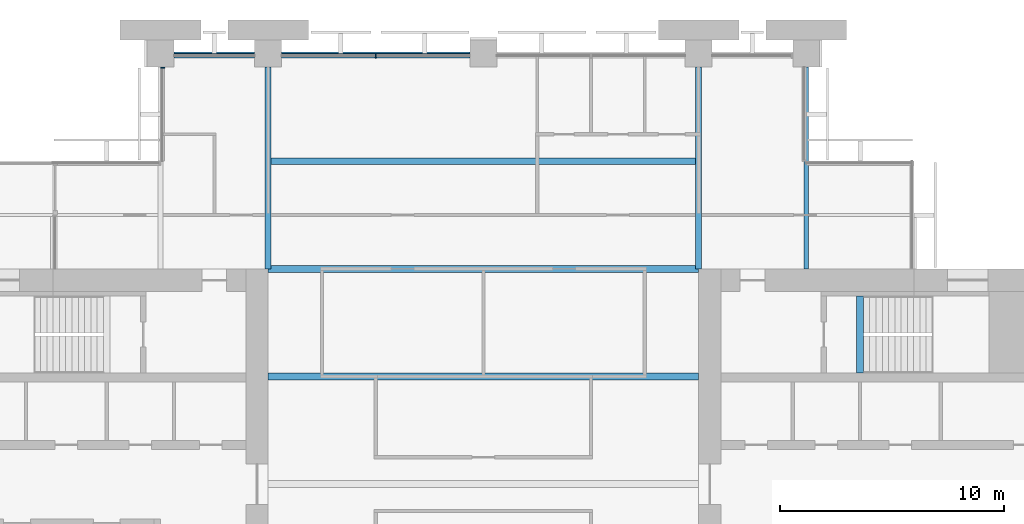
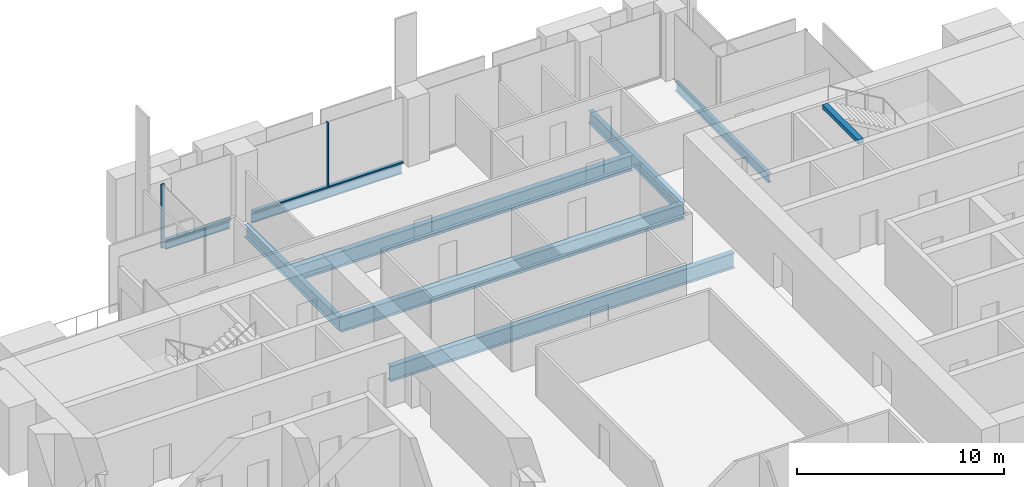
# One storey, part 6 of 14: 9 beams, 4 members, 2 elements without a shape of their own.
"""IFC4 building model written with IfcOpenShell, lengths in metres."""

import ifcopenshell
import ifcopenshell.guid

model = None  # the IFC model being written
_history = None  # IfcOwnerHistory: only IFC2X3 demands one
_inside = {}  # id of a spatial element -> (the spatial element, [elements in it])
_under = {}  # id of a project, library or spatial element -> (it, [spatial elements below it])
_declared = {}  # id of a project -> (the project, [libraries it declares])
_typed = {}  # id of a type object -> (the type object, [elements of that type])
_made_of = {}  # id of a material, layer set ... -> (it, [elements and type objects made of it])


def new_model(schema):
    """Start an empty IFC model of exactly this schema.

    Asked for "IFC4X3", IfcOpenShell would pick the latest addendum, in which some entities
    have other attributes; the version numbers below select the first issue.
    IFC2X3 requires an IfcOwnerHistory on every rooted entity: one is made here for all.
    """
    global model, _history
    if schema == "IFC4X3":
        model = ifcopenshell.file(schema_version=(4, 3, 0, 0))
    else:
        model = ifcopenshell.file(schema=schema)
    _inside.clear()
    _under.clear()
    _declared.clear()
    _typed.clear()
    _made_of.clear()
    _history = None
    if model.schema == "IFC2X3":
        org = make("IfcOrganization", Name="unknown")
        user = make(
            "IfcPersonAndOrganization",
            ThePerson=make("IfcPerson", FamilyName="unknown"),
            TheOrganization=org,
        )
        app = make(
            "IfcApplication",
            ApplicationDeveloper=org,
            Version="unknown",
            ApplicationFullName="unknown",
            ApplicationIdentifier="unknown",
        )
        _history = make(
            "IfcOwnerHistory",
            OwningUser=user,
            OwningApplication=app,
            ChangeAction="ADDED",
            CreationDate=0,
        )
    return model


def make(cls, **values):
    """One entity of the class cls with the attributes given. An attribute that is None is left unset."""
    return model.create_entity(
        cls, **{name: value for name, value in values.items() if value is not None}
    )


def rooted(cls, **values):
    """An entity with a GlobalId (a new one), such as an element, a storey or a relation."""
    return make(cls, GlobalId=ifcopenshell.guid.new(), OwnerHistory=_history, **values)


def si_unit(unit_type, name, prefix=None):
    """IfcSIUnit, for example si_unit("LENGTHUNIT", "METRE", prefix="MILLI")."""
    return make("IfcSIUnit", UnitType=unit_type, Prefix=prefix, Name=name)


def assignment(units):
    """IfcUnitAssignment: the units of a project."""
    return None if units is None else make("IfcUnitAssignment", Units=units)


def point(xyz):
    """IfcCartesianPoint."""
    return None if xyz is None else make("IfcCartesianPoint", Coordinates=xyz)


def direction(xyz):
    """IfcDirection."""
    return None if xyz is None else make("IfcDirection", DirectionRatios=xyz)


def frame(location, z_axis=None, x_axis=None):
    """IfcAxis2Placement3D, a coordinate frame: its origin and axes. An axis left out is left unset."""
    return make(
        "IfcAxis2Placement3D",
        Location=point(location),
        Axis=direction(z_axis),
        RefDirection=direction(x_axis),
    )


def frame_2d(location, x_axis=None):
    """IfcAxis2Placement2D, a coordinate frame in the plane: its origin and x axis."""
    return make(
        "IfcAxis2Placement2D", Location=point(location), RefDirection=direction(x_axis)
    )


def origin():
    """The frame at (0, 0, 0) with its axes left unset."""
    return frame((0.0, 0.0, 0.0))


def origin_2d():
    """The frame at (0, 0) in the plane with its x axis left unset."""
    return frame_2d((0.0, 0.0))


def place(relative_to, where):
    """IfcLocalPlacement: puts the frame where relative to a parent placement (None: the world)."""
    return make(
        "IfcLocalPlacement", PlacementRelTo=relative_to, RelativePlacement=where
    )


def context(
    kind, dimensions, precision=None, world=None, true_north=None, identifier=None
):
    """IfcGeometricRepresentationContext, for example the 3D "Model" context."""
    return make(
        "IfcGeometricRepresentationContext",
        ContextIdentifier=identifier,
        ContextType=kind,
        CoordinateSpaceDimension=dimensions,
        Precision=precision,
        WorldCoordinateSystem=world,
        TrueNorth=true_north,
    )


def subcontext(parent, identifier, kind, view, scale=None):
    """IfcGeometricRepresentationSubContext, for example "Body" below "Model"."""
    return make(
        "IfcGeometricRepresentationSubContext",
        ContextIdentifier=identifier,
        ContextType=kind,
        ParentContext=parent,
        TargetScale=scale,
        TargetView=view,
    )


def project(units=None, contexts=None):
    """IfcProject with its units and contexts."""
    return rooted(
        "IfcProject",
        Name="project",
        RepresentationContexts=contexts,
        UnitsInContext=assignment(units),
    )


def spatial(cls, under=None, at=None, **own):
    """A site, building, storey or space (cls), placed at a placement, below another one or the project."""
    s = rooted(cls, ObjectPlacement=at, **own)
    if under is not None:
        _under.setdefault(under.id(), (under, []))[1].append(s)
    return s


def profile(cls, at=None, kind="AREA", **sizes):
    """A parametric profile (cls). Its sizes go by their IFC names, for example OverallWidth=200.0."""
    return make(cls, ProfileType=kind, Position=at, **sizes)


def rectangle(**sizes):
    """IfcRectangleProfileDef."""
    return profile("IfcRectangleProfileDef", **sizes)


def i_section(**sizes):
    """IfcIShapeProfileDef."""
    return profile("IfcIShapeProfileDef", **sizes)


def extrude(swept, where, along, depth):
    """IfcExtrudedAreaSolid: the profile swept, set in the frame where, extruded along a direction by depth."""
    return make(
        "IfcExtrudedAreaSolid",
        SweptArea=swept,
        Position=where,
        ExtrudedDirection=direction(along),
        Depth=depth,
    )


def shape(context_of_items, identifier, shape_type, items):
    """IfcShapeRepresentation: the items that make up one representation, for example the "Body"."""
    return make(
        "IfcShapeRepresentation",
        ContextOfItems=context_of_items,
        RepresentationIdentifier=identifier,
        RepresentationType=shape_type,
        Items=items,
    )


def material(Name=None, Category=None):
    """IfcMaterial."""
    return make("IfcMaterial", Name=Name, Category=Category)


def material_profile(
    of_material, cross_section, Name=None, Category=None, Priority=None
):
    """IfcMaterialProfile: a cross section and its material."""
    return make(
        "IfcMaterialProfile",
        Name=Name,
        Material=of_material,
        Profile=cross_section,
        Priority=Priority,
        Category=Category,
    )


def profile_set(profiles, Name=None, composite=None):
    """IfcMaterialProfileSet."""
    return make(
        "IfcMaterialProfileSet",
        Name=Name,
        MaterialProfiles=profiles,
        CompositeProfile=composite,
    )


def made_of(thing, what):
    """Note that an element or type object is made of a material, layer set ...; save() writes the relation."""
    if what is not None:
        _made_of.setdefault(what.id(), (what, []))[1].append(thing)
    return thing


def type_object(cls, material=None, **own):
    """A type object (cls), such as IfcWallType, which elements share."""
    return made_of(rooted(cls, **own), material)


def element(
    cls,
    number,
    at=None,
    inside=None,
    cuts=None,
    type_object=None,
    material=None,
    context=None,
    identifier="Body",
    shape_type=None,
    held_by="IfcProductDefinitionShape",
    body=None,
    shapes=None,
    **own,
):
    """One element of the class cls, such as IfcWall. Its Tag is "e" and its number.

    at: its placement. inside: the storey or other place that contains it. cuts: it is an
    opening in that element (IfcRelVoidsElement). A single representation is given by context,
    identifier, shape_type and body (its items); several are given by shapes. held_by: the class
    of the entity that holds the representations. save() writes the other relations.
    """
    e = rooted(cls, Tag="e%d" % number, ObjectPlacement=at, **own)
    if body is not None:
        shapes = [shape(context, identifier, shape_type, body)]
    if shapes is not None:
        e.Representation = make(held_by, Representations=shapes)
    if inside is not None:
        _inside.setdefault(inside.id(), (inside, []))[1].append(e)
    if cuts is not None:
        rooted(
            "IfcRelVoidsElement", RelatingBuildingElement=cuts, RelatedOpeningElement=e
        )
    if type_object is not None:
        _typed.setdefault(type_object.id(), (type_object, []))[1].append(e)
    return made_of(e, material)


def aggregate(whole, parts):
    """IfcRelAggregates: a whole, such as a stair, and the parts it consists of."""
    return rooted("IfcRelAggregates", RelatingObject=whole, RelatedObjects=parts)


def save(model, path):
    """Write the relations noted so far, then the file.

    IfcRelAggregates (storeys below a building ...), IfcRelContainedInSpatialStructure (elements
    in a storey), IfcRelDefinesByType, IfcRelAssociatesMaterial and IfcRelDeclares: one each for
    every whole, place, type object, material and project.
    """
    for whole, parts in _under.values():
        aggregate(whole, parts)
    for where, things in _inside.values():
        rooted(
            "IfcRelContainedInSpatialStructure",
            RelatedElements=things,
            RelatingStructure=where,
        )
    for kind, things in _typed.values():
        rooted("IfcRelDefinesByType", RelatedObjects=things, RelatingType=kind)
    for what, things in _made_of.values():
        rooted("IfcRelAssociatesMaterial", RelatedObjects=things, RelatingMaterial=what)
    for by, libraries in _declared.values():
        rooted("IfcRelDeclares", RelatingContext=by, RelatedDefinitions=libraries)
    model.write(path)


model = new_model("IFC4")

# Units and contexts
model_context = context("Model", 3, precision=1e-05, world=origin(), true_north=direction((0.0, 1.0)))
body_context = subcontext(model_context, "Body", "Model", "MODEL_VIEW")
ifc_project = project(units=[si_unit("LENGTHUNIT", "METRE"), si_unit("AREAUNIT", "SQUARE_METRE"), si_unit("VOLUMEUNIT", "CUBIC_METRE"), si_unit("PLANEANGLEUNIT", "RADIAN"), si_unit("MASSUNIT", "GRAM", prefix="KILO")], contexts=[model_context])

# Site, building, storey
site_placement = place(None, origin())
site = spatial("IfcSite", under=ifc_project, at=site_placement, CompositionType="ELEMENT")
building_placement = place(site_placement, origin())
building = spatial("IfcBuilding", under=site, at=building_placement, Name="Baori Bourse Tower", CompositionType="ELEMENT")
storey_placement = place(building_placement, frame((0.0, 0.0, 168.10009765625)))
storey = spatial("IfcBuildingStorey", under=building, at=storey_placement, Name="L37", CompositionType="ELEMENT", Elevation=168.10009765625)

# Curtain wall, members
ifc_material_1 = material(Name="Pale anodised aluminium", Category="aluminium")
curtain_wall_type_1 = type_object("IfcCurtainWallType", Name="CW1 Curtain wall", PredefinedType="NOTDEFINED", material=ifc_material_1)
curtain_wall_1_placement = place(storey_placement, origin())
curtain_wall_1 = element("IfcCurtainWall", 1, at=curtain_wall_1_placement, inside=storey, type_object=curtain_wall_type_1, Name="Curtain wall CW1 L37 4", PredefinedType="NOTDEFINED")
ifc_material_2 = material(Name="Pale anodised aluminium", Category="aluminium")
ifc_material_profile_1 = material_profile(ifc_material_2, rectangle(XDim=0.199951171875, YDim=0.06005859375, at=origin_2d()), Name="Mullion 60x200")
ifc_profile_set_1 = profile_set([ifc_material_profile_1], Name="Pale anodised aluminium")
member_type_1 = type_object("IfcMemberType", Name="CW1 Curtain wall mullion", PredefinedType="MULLION", material=ifc_profile_set_1)
member_1_placement = place(storey_placement, frame((24.0, 47.89990234375, 0.079833984375), z_axis=(0.0, 0.0, 1.0), x_axis=(0.0, -1.0, 0.0)))
member_1 = element("IfcMember", 2, at=member_1_placement, type_object=member_type_1, Name="Curtain wall CW1 mullion", PredefinedType="MULLION", context=body_context, shape_type="SweptSolid", body=[
    extrude(rectangle(XDim=0.199951171875, YDim=0.06005859375, at=origin_2d()), origin(), (0.0, 0.0, 1.0), 3.760009765625),
])
ifc_material_3 = material(Name="Pale anodised aluminium", Category="aluminium")
ifc_material_profile_2 = material_profile(ifc_material_3, rectangle(XDim=0.199951171875, YDim=0.080078125, at=origin_2d()), Name="Transom 80x200")
ifc_profile_set_2 = profile_set([ifc_material_profile_2], Name="Pale anodised aluminium")
member_type_2 = type_object("IfcMemberType", Name="CW1 Curtain wall transom", PredefinedType="USERDEFINED", material=ifc_profile_set_2)
member_2_placement = place(storey_placement, frame((28.199951171875, 47.89990234375, 0.039794921875), z_axis=(-1.0, 0.0, 0.0), x_axis=(0.0, -1.0, 0.0)))
member_2 = element("IfcMember", 3, at=member_2_placement, type_object=member_type_2, Name="Curtain wall CW1 sill rail", ObjectType="TRANSOM", PredefinedType="USERDEFINED", context=body_context, shape_type="SweptSolid", body=[
    extrude(rectangle(XDim=0.199951171875, YDim=0.080078125, at=origin_2d()), origin(), (0.0, 0.0, 1.0), 8.39990234375),
])
member_3_placement = place(storey_placement, frame((18.60009765625, 47.89990234375, 0.039794921875), z_axis=(-1.0, 0.0, 0.0), x_axis=(0.0, -1.0, 0.0)))
member_3 = element("IfcMember", 4, at=member_3_placement, type_object=member_type_2, Name="Curtain wall CW1 sill rail", ObjectType="TRANSOM", PredefinedType="USERDEFINED", context=body_context, shape_type="SweptSolid", body=[
    extrude(rectangle(XDim=0.199951171875, YDim=0.080078125, at=origin_2d()), origin(), (0.0, 0.0, 1.0), 3.60009765625),
])
aggregate(curtain_wall_1, [member_2, member_1, member_3])

# Curtain wall, member
ifc_material_4 = material(Name="Pale anodised aluminium", Category="aluminium")
curtain_wall_type_2 = type_object("IfcCurtainWallType", Name="CW2 Curtain wall", PredefinedType="NOTDEFINED", material=ifc_material_4)
curtain_wall_2_placement = place(storey_placement, origin())
curtain_wall_2 = element("IfcCurtainWall", 5, at=curtain_wall_2_placement, inside=storey, type_object=curtain_wall_type_2, Name="Curtain wall CW2 L37 5", PredefinedType="NOTDEFINED")
ifc_material_5 = material(Name="Pale anodised aluminium", Category="aluminium")
ifc_material_profile_3 = material_profile(ifc_material_5, rectangle(XDim=0.179931640625, YDim=0.054931640625, at=origin_2d()), Name="Mullion 55x180")
ifc_profile_set_3 = profile_set([ifc_material_profile_3], Name="Pale anodised aluminium")
member_type_3 = type_object("IfcMemberType", Name="CW2 Curtain wall mullion", PredefinedType="MULLION", material=ifc_profile_set_3)
member_4_placement = place(storey_placement, frame((14.489990234375, 47.37255859375, 0.06982421875), z_axis=(0.0, 0.0, 1.0), x_axis=(1.0, 0.0, 0.0)))
member_4 = element("IfcMember", 6, at=member_4_placement, type_object=member_type_3, Name="Curtain wall CW2 mullion", PredefinedType="MULLION", context=body_context, shape_type="SweptSolid", body=[
    extrude(rectangle(XDim=0.179931640625, YDim=0.054931640625, at=origin_2d()), origin(), (0.0, 0.0, 1.0), 3.77001953125),
])
aggregate(curtain_wall_2, [member_4])

# Beams
ifc_material_6 = material(Name="Steel A992 Gr 50", Category="steel")
ifc_material_profile_4 = material_profile(ifc_material_6, i_section(OverallWidth=0.140380859375, OverallDepth=0.40380859375, WebThickness=0.007080078125, FlangeThickness=0.01123046875, at=origin_2d()), Name="W16x31")
ifc_profile_set_4 = profile_set([ifc_material_profile_4], Name="Steel A992 Gr 50")
beam_type_1 = type_object("IfcBeamType", Name="Edge beam W16x31", PredefinedType="BEAM", material=ifc_profile_set_4)
beam_1_placement = place(storey_placement, frame((15.0, 48.0, -0.362060546875), z_axis=(1.0, 0.0, 0.0), x_axis=(0.0, 1.0, 0.0)))
element("IfcBeam", 7, at=beam_1_placement, inside=storey, type_object=beam_type_1, Name="Edge beam L37", PredefinedType="BEAM", context=body_context, shape_type="SweptSolid", body=[
    extrude(i_section(OverallWidth=0.140380859375, OverallDepth=0.40380859375, WebThickness=0.007080078125, FlangeThickness=0.01123046875, at=origin_2d()), origin(), (0.0, 0.0, 1.0), 3.60009765625),
])
ifc_material_7 = material(Name="Steel A992 Gr 50", Category="steel")
ifc_material_profile_5 = material_profile(ifc_material_7, i_section(OverallWidth=0.1650390625, OverallDepth=0.52587890625, WebThickness=0.0087890625, FlangeThickness=0.011474609375, at=origin_2d()), Name="W21x44")
ifc_profile_set_5 = profile_set([ifc_material_profile_5], Name="Steel A992 Gr 50")
beam_type_2 = type_object("IfcBeamType", Name="Edge beam W21x44", PredefinedType="BEAM", material=ifc_profile_set_5)
beam_2_placement = place(storey_placement, frame((19.800048828125, 48.0, -0.423095703125), z_axis=(1.0, 0.0, 0.0), x_axis=(0.0, 1.0, 0.0)))
element("IfcBeam", 8, at=beam_2_placement, inside=storey, type_object=beam_type_2, Name="Edge beam L37", PredefinedType="BEAM", context=body_context, shape_type="SweptSolid", body=[
    extrude(i_section(OverallWidth=0.1650390625, OverallDepth=0.52587890625, WebThickness=0.0087890625, FlangeThickness=0.011474609375, at=origin_2d()), origin(), (0.0, 0.0, 1.0), 8.39990234375),
])
ifc_material_8 = material(Name="Steel A992 Gr 50", Category="steel")
ifc_material_profile_6 = material_profile(ifc_material_8, i_section(OverallWidth=0.209228515625, OverallDepth=0.533447265625, WebThickness=0.01025390625, FlangeThickness=0.015625, at=origin_2d()), Name="W21x62")
ifc_profile_set_6 = profile_set([ifc_material_profile_6], Name="Steel A992 Gr 50")
beam_type_3 = type_object("IfcBeamType", Name="Floor beam W21x62", PredefinedType="BEAM", material=ifc_profile_set_6)
beam_3_placement = place(storey_placement, frame((43.199951171875, 38.39990234375, -0.4267578125), z_axis=(0.0, 1.0, 0.0), x_axis=(-1.0, 0.0, 0.0)))
element("IfcBeam", 9, at=beam_3_placement, inside=storey, type_object=beam_type_3, Name="Floor beam L37", PredefinedType="BEAM", context=body_context, shape_type="SweptSolid", body=[
    extrude(i_section(OverallWidth=0.209228515625, OverallDepth=0.533447265625, WebThickness=0.01025390625, FlangeThickness=0.015625, at=origin_2d()), origin(), (0.0, 0.0, 1.0), 9.0),
])
ifc_material_9 = material(Name="Steel A992 Gr 50", Category="steel")
ifc_material_profile_7 = material_profile(ifc_material_9, i_section(OverallWidth=0.3046875, OverallDepth=0.904296875, WebThickness=0.01513671875, FlangeThickness=0.02001953125, at=origin_2d()), Name="W36x135")
ifc_profile_set_7 = profile_set([ifc_material_profile_7], Name="Steel A992 Gr 50")
beam_type_4 = type_object("IfcBeamType", Name="Floor beam W36x135", PredefinedType="BEAM", material=ifc_profile_set_7)
for number, where, z_axis, x_axis, name in (
    (10, (19.199951171875, 33.60009765625, -0.6123046875), (1.0, 0.0, 0.0), (0.0, 1.0, 0.0), "Floor beam L37"),
    (11, (19.199951171875, 38.39990234375, -0.6123046875), (1.0, 0.0, 0.0), (0.0, 1.0, 0.0), "Floor beam L37"),
):
    element("IfcBeam", number, at=place(storey_placement, frame(where, z_axis=z_axis, x_axis=x_axis)), inside=storey, type_object=beam_type_4, Name=name, PredefinedType="BEAM", context=body_context, shape_type="SweptSolid", body=[
        extrude(i_section(OverallWidth=0.3046875, OverallDepth=0.904296875, WebThickness=0.01513671875, FlangeThickness=0.02001953125, at=origin_2d()), origin(), (0.0, 0.0, 1.0), 19.199951171875),
    ])
beam_4_placement = place(storey_placement, frame((19.33203125, 43.199951171875, -0.6123046875), z_axis=(1.0, 0.0, 0.0), x_axis=(0.0, 1.0, 0.0)))
element("IfcBeam", 12, at=beam_4_placement, inside=storey, type_object=beam_type_4, Name="Floor beam L37", PredefinedType="BEAM", context=body_context, shape_type="SweptSolid", body=[
    extrude(i_section(OverallWidth=0.3046875, OverallDepth=0.904296875, WebThickness=0.01513671875, FlangeThickness=0.02001953125, at=origin_2d()), origin(), (0.0, 0.0, 1.0), 18.935791015625),
])
ifc_material_10 = material(Name="Steel A992 Gr 50", Category="steel")
ifc_material_profile_8 = material_profile(ifc_material_10, i_section(OverallWidth=0.26416015625, OverallDepth=0.749267578125, WebThickness=0.011962890625, FlangeThickness=0.015380859375, at=origin_2d()), Name="W30x90")
ifc_profile_set_8 = profile_set([ifc_material_profile_8], Name="Steel A992 Gr 50")
beam_type_5 = type_object("IfcBeamType", Name="Girder W30x90", PredefinedType="BEAM", material=ifc_profile_set_8)
for number, where, z_axis, x_axis, name in (
    (13, (19.199951171875, 38.39990234375, -0.53466796875), (0.0, 1.0, 0.0), (-1.0, 0.0, 0.0), "Girder L37"),
    (14, (38.39990234375, 38.39990234375, -0.53466796875), (0.0, 1.0, 0.0), (-1.0, 0.0, 0.0), "Girder L37"),
):
    element("IfcBeam", number, at=place(storey_placement, frame(where, z_axis=z_axis, x_axis=x_axis)), inside=storey, type_object=beam_type_5, Name=name, PredefinedType="BEAM", context=body_context, shape_type="SweptSolid", body=[
        extrude(i_section(OverallWidth=0.26416015625, OverallDepth=0.749267578125, WebThickness=0.011962890625, FlangeThickness=0.015380859375, at=origin_2d()), origin(), (0.0, 0.0, 1.0), 9.0),
    ])
ifc_material_11 = material(Name="Concrete f'c 50 MPa", Category="concrete")
ifc_material_profile_9 = material_profile(ifc_material_11, rectangle(XDim=0.300048828125, YDim=0.25, at=origin_2d()), Name="RC 300x250")
ifc_profile_set_9 = profile_set([ifc_material_profile_9], Name="Concrete f'c 50 MPa")
beam_type_6 = type_object("IfcBeamType", Name="Stair nib beam RC 300x250", PredefinedType="BEAM", material=ifc_profile_set_9)
beam_5_placement = place(storey_placement, frame((45.60009765625, 33.75, 3.71484375), z_axis=(0.0, 1.0, 0.0), x_axis=(-1.0, 0.0, 0.0)))
element("IfcBeam", 15, at=beam_5_placement, inside=storey, type_object=beam_type_6, Name="Stair EB nib beam L38", PredefinedType="BEAM", context=body_context, shape_type="SweptSolid", body=[
    extrude(rectangle(XDim=0.300048828125, YDim=0.25, at=origin_2d()), origin(), (0.0, 0.0, 1.0), 3.449951171875),
])

save(model, "model.ifc")
